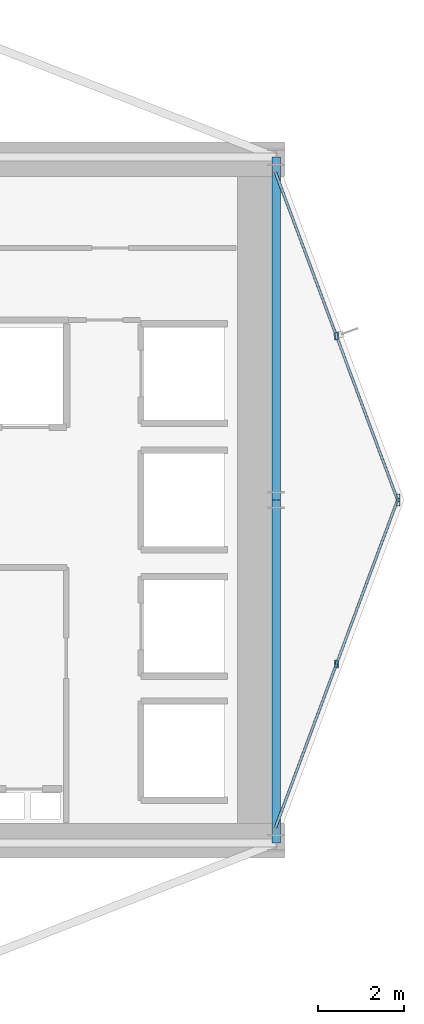
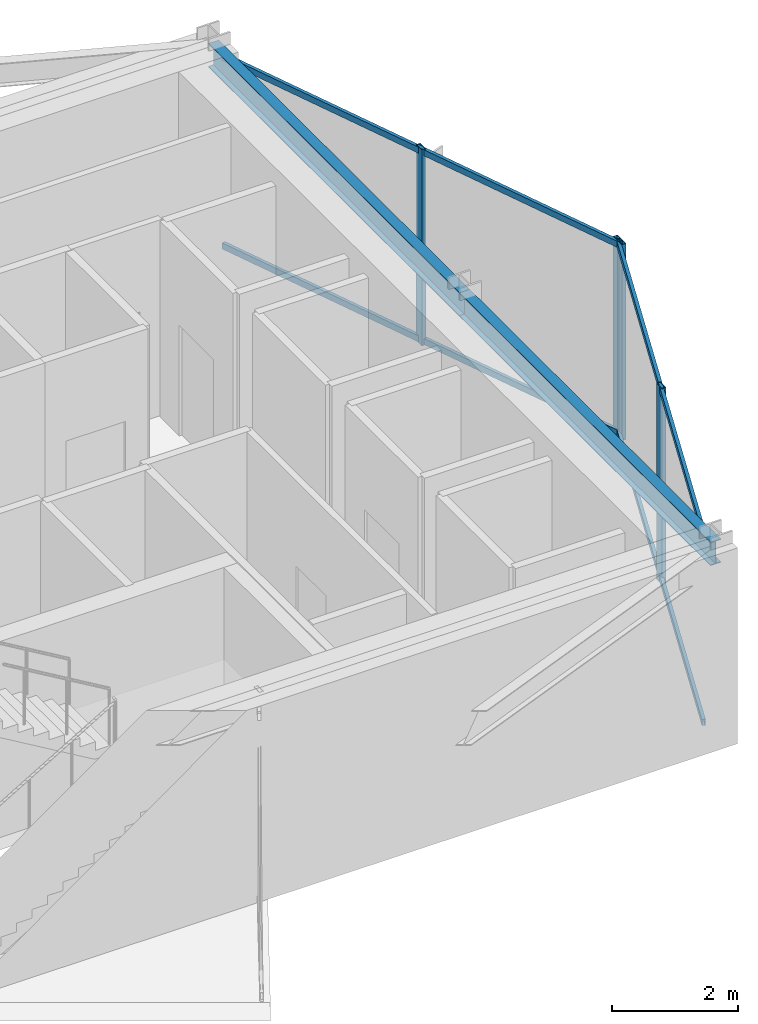
# One storey, part 15 of 23: 8 members, 2 beams, 2 elements without a shape of their own.
"""IFC4 building model written with IfcOpenShell, lengths in metres."""

from ifc_helpers import new_model, si_unit, direction, frame, origin, origin_2d, place, context, subcontext, project, spatial, hollow_rectangle, i_section, extrude, material, layer, layer_set, material_profile, profile_set, type_object, element, aggregate, save


model = new_model("IFC4")

# Units and contexts
model_context = context("Model", 3, precision=1e-05, world=origin(), true_north=direction((0.0, 1.0)))
body_context = subcontext(model_context, "Body", "Model", "MODEL_VIEW")
ifc_project = project(units=[si_unit("LENGTHUNIT", "METRE"), si_unit("AREAUNIT", "SQUARE_METRE"), si_unit("VOLUMEUNIT", "CUBIC_METRE"), si_unit("PLANEANGLEUNIT", "RADIAN"), si_unit("MASSUNIT", "GRAM", prefix="KILO")], contexts=[model_context])

# Site, building, storey
site_placement = place(None, origin())
site = spatial("IfcSite", under=ifc_project, at=site_placement, CompositionType="ELEMENT")
building_placement = place(site_placement, origin())
building = spatial("IfcBuilding", under=site, at=building_placement, Name="Veymaron Broadcast Tower", CompositionType="ELEMENT")
storey_placement = place(building_placement, frame((0.0, 0.0, 161.39990234375)))
storey = spatial("IfcBuildingStorey", under=building, at=storey_placement, Name="L37", CompositionType="ELEMENT", Elevation=161.39990234375)

# Beams
ifc_material_1 = material(Name="Structural steel ASTM A992 Gr 50", Category="steel")
ifc_material_profile_1 = material_profile(ifc_material_1, i_section(OverallWidth=0.19091796875, OverallDepth=0.4599609375, WebThickness=0.010009765625, FlangeThickness=0.01611328125, at=origin_2d()), Name="W460X82")
ifc_profile_set_1 = profile_set([ifc_material_profile_1], Name="Structural steel ASTM A992 Gr 50")
beam_type = type_object("IfcBeamType", Name="BM-SP1", PredefinedType="SPANDREL", material=ifc_profile_set_1)
for number, where, z_axis, x_axis, name in (
    (1, (54.60009765625, 16.0, 3.580078125), (0.0, 1.0, 0.0), (-1.0, 0.0, 0.0), "L37 primary structural floor girder"),
    (2, (54.60009765625, 24.0, 3.580078125), (0.0, 1.0, 0.0), (-1.0, 0.0, 0.0), "L37 primary structural floor girder"),
):
    element("IfcBeam", number, at=place(storey_placement, frame(where, z_axis=z_axis, x_axis=x_axis)), inside=storey, type_object=beam_type, Name=name, PredefinedType="SPANDREL", context=body_context, shape_type="SweptSolid", body=[
        extrude(i_section(OverallWidth=0.19091796875, OverallDepth=0.4599609375, WebThickness=0.010009765625, FlangeThickness=0.01611328125, at=origin_2d()), origin(), (0.0, 0.0, 1.0), 8.0),
    ])

# Curtain wall, members
ifc_material_2 = material(Name="Anodised aluminium AA 6063-T6 and laminated low-E dark glass", Category="aluminium")
ifc_layer = layer(ifc_material_2, 0.179931640625)
ifc_layer_set = layer_set([ifc_layer], Name="Anodised aluminium AA 6063-T6 and laminated low-E dark glass")
curtain_wall_type = type_object("IfcCurtainWallType", Name="CW-SYS-03", PredefinedType="NOTDEFINED", material=ifc_layer_set)
curtain_wall_1_placement = place(storey_placement, origin())
curtain_wall_1 = element("IfcCurtainWall", 3, at=curtain_wall_1_placement, inside=storey, type_object=curtain_wall_type, Name="L37 dark-glass curtain wall CW-L37-E3-1", PredefinedType="NOTDEFINED")
ifc_material_3 = material(Name="Anodised aluminium AA 6063-T6", Category="aluminium")
ifc_material_profile_2 = material_profile(ifc_material_3, hollow_rectangle(XDim=0.074951171875, YDim=0.179931640625, WallThickness=0.0048828125, at=origin_2d()), Name="AL180X75X5")
ifc_profile_set_2 = profile_set([ifc_material_profile_2], Name="Anodised aluminium AA 6063-T6")
member_type_1 = type_object("IfcMemberType", Name="CW-MUL-02", PredefinedType="MULLION", material=ifc_profile_set_2)
member_1_placement = place(storey_placement, frame((56.006591796875, 20.1748046875, 0.0), z_axis=(0.0, 0.0, 1.0), x_axis=(1.0, 0.0, 0.0)))
member_1 = element("IfcMember", 4, at=member_1_placement, type_object=member_type_1, Name="CW-L37-E3-1 mullion 1", PredefinedType="MULLION", context=body_context, shape_type="SweptSolid", body=[
    extrude(hollow_rectangle(XDim=0.074951171875, YDim=0.179931640625, WallThickness=0.0048828125, at=origin_2d()), origin(), (0.0, 0.0, 1.0), 3.81005859375),
])
member_2_placement = place(storey_placement, frame((57.45068359375, 24.048828125, 0.0), z_axis=(0.0, 0.0, 1.0), x_axis=(1.0, 0.0, 0.0)))
member_2 = element("IfcMember", 5, at=member_2_placement, type_object=member_type_1, Name="CW-L37-E3-1 mullion 2", PredefinedType="MULLION", context=body_context, shape_type="SweptSolid", body=[
    extrude(hollow_rectangle(XDim=0.074951171875, YDim=0.179931640625, WallThickness=0.0048828125, at=origin_2d()), origin(), (0.0, 0.0, 1.0), 3.81005859375),
])

curtain_wall_2_placement = place(storey_placement, origin())
curtain_wall_2 = element("IfcCurtainWall", 6, at=curtain_wall_2_placement, inside=storey, type_object=curtain_wall_type, Name="L37 dark-glass curtain wall CW-L37-E4-1", PredefinedType="NOTDEFINED")
member_3_placement = place(storey_placement, frame((57.45068359375, 23.951171875, 0.0), z_axis=(0.0, 0.0, 1.0), x_axis=(1.0, 0.0, 0.0)))
member_3 = element("IfcMember", 7, at=member_3_placement, type_object=member_type_1, Name="CW-L37-E4-1 mullion 0", PredefinedType="MULLION", context=body_context, shape_type="SweptSolid", body=[
    extrude(hollow_rectangle(XDim=0.074951171875, YDim=0.179931640625, WallThickness=0.0048828125, at=origin_2d()), origin(), (0.0, 0.0, 1.0), 3.81005859375),
])
member_4_placement = place(storey_placement, frame((56.006591796875, 27.8251953125, 0.0), z_axis=(0.0, 0.0, 1.0), x_axis=(1.0, 0.0, 0.0)))
member_4 = element("IfcMember", 8, at=member_4_placement, type_object=member_type_1, Name="CW-L37-E4-1 mullion 1", PredefinedType="MULLION", context=body_context, shape_type="SweptSolid", body=[
    extrude(hollow_rectangle(XDim=0.074951171875, YDim=0.179931640625, WallThickness=0.0048828125, at=origin_2d()), origin(), (0.0, 0.0, 1.0), 3.81005859375),
])

# Member
ifc_material_profile_3 = material_profile(ifc_material_3, hollow_rectangle(XDim=0.06005859375, YDim=0.1201171875, WallThickness=0.00390625, at=origin_2d()), Name="AL120X60X4")
ifc_profile_set_3 = profile_set([ifc_material_profile_3], Name="Anodised aluminium AA 6063-T6")
member_type_2 = type_object("IfcMemberType", Name="CW-TRN-02", PredefinedType="USERDEFINED", material=ifc_profile_set_3)
member_5_placement = place(storey_placement, frame((54.580078125, 16.34765625, 0.070068359375), z_axis=(0.349288610805, 0.937015190038, 0.0), x_axis=(-0.937015190038, 0.349288610805, 0.0)))
member_5 = element("IfcMember", 9, at=member_5_placement, type_object=member_type_2, Name="CW-L37-E3-1 transom B", ObjectType="TRANSOM", PredefinedType="USERDEFINED", context=body_context, shape_type="SweptSolid", body=[
    extrude(hollow_rectangle(XDim=0.06005859375, YDim=0.1201171875, WallThickness=0.00390625, at=origin_2d()), origin(), (0.0, 0.0, 1.0), 8.168701171875),
])

member_6_placement = place(storey_placement, frame((54.580078125, 16.34765625, 3.739990234375), z_axis=(0.349288610805, 0.937015190038, 0.0), x_axis=(-0.937015190038, 0.349288610805, 0.0)))
member_6 = element("IfcMember", 10, at=member_6_placement, type_object=member_type_2, Name="CW-L37-E3-1 transom T", ObjectType="TRANSOM", PredefinedType="USERDEFINED", context=body_context, shape_type="SweptSolid", body=[
    extrude(hollow_rectangle(XDim=0.06005859375, YDim=0.1201171875, WallThickness=0.00390625, at=origin_2d()), origin(), (0.0, 0.0, 1.0), 8.168701171875),
])

aggregate(curtain_wall_1, [member_1, member_2, member_5, member_6])

member_7_placement = place(storey_placement, frame((57.433349609375, 23.998046875, 0.070068359375), z_axis=(-0.349288610805, 0.937015190038, 0.0), x_axis=(-0.937015190038, -0.349288610805, 0.0)))
member_7 = element("IfcMember", 11, at=member_7_placement, type_object=member_type_2, Name="CW-L37-E4-1 transom B", ObjectType="TRANSOM", PredefinedType="USERDEFINED", context=body_context, shape_type="SweptSolid", body=[
    extrude(hollow_rectangle(XDim=0.06005859375, YDim=0.1201171875, WallThickness=0.00390625, at=origin_2d()), origin(), (0.0, 0.0, 1.0), 8.168701171875),
])

member_8_placement = place(storey_placement, frame((57.433349609375, 23.998046875, 3.739990234375), z_axis=(-0.349288610805, 0.937015190038, 0.0), x_axis=(-0.937015190038, -0.349288610805, 0.0)))
member_8 = element("IfcMember", 12, at=member_8_placement, type_object=member_type_2, Name="CW-L37-E4-1 transom T", ObjectType="TRANSOM", PredefinedType="USERDEFINED", context=body_context, shape_type="SweptSolid", body=[
    extrude(hollow_rectangle(XDim=0.06005859375, YDim=0.1201171875, WallThickness=0.00390625, at=origin_2d()), origin(), (0.0, 0.0, 1.0), 8.168701171875),
])

aggregate(curtain_wall_2, [member_3, member_4, member_7, member_8])

save(model, "model.ifc")
